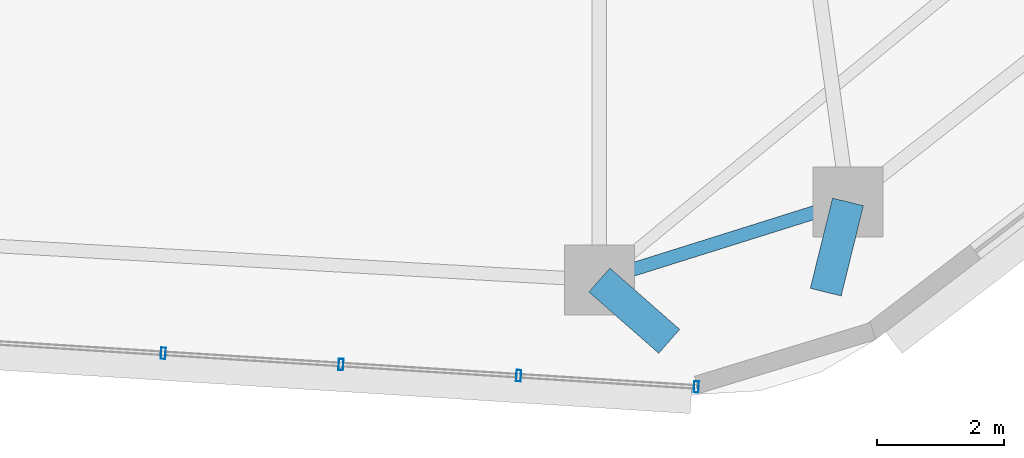
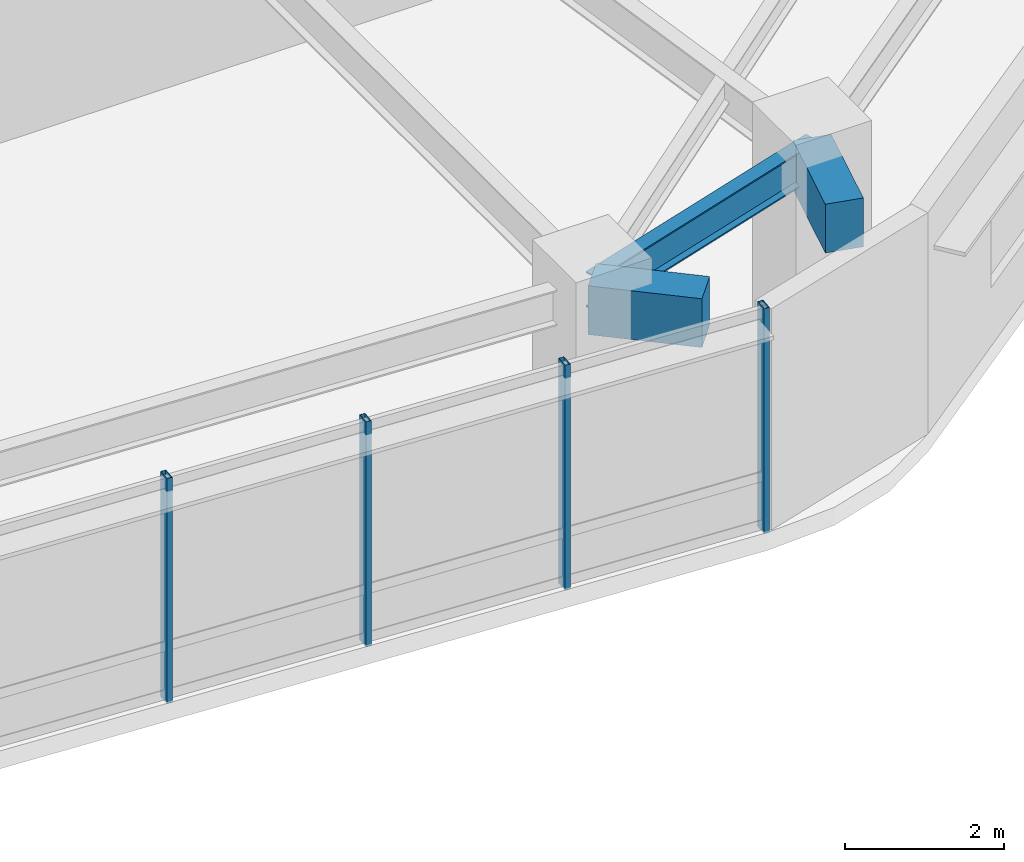
# One storey, part 4 of 12: 4 members, 3 beams, 1 element without a shape of its own.
"""IFC4 building model written with IfcOpenShell, lengths in metres."""

from ifc_helpers import new_model, si_unit, direction, frame, origin, origin_2d, place, context, subcontext, project, spatial, rectangle, hollow_rectangle, i_section, extrude, material, material_profile, profile_set, type_object, element, aggregate, save


model = new_model("IFC4")

# Units and contexts
model_context = context("Model", 3, precision=1e-05, world=origin(), true_north=direction((0.0, 1.0)))
body_context = subcontext(model_context, "Body", "Model", "MODEL_VIEW")
ifc_project = project(units=[si_unit("LENGTHUNIT", "METRE"), si_unit("AREAUNIT", "SQUARE_METRE"), si_unit("VOLUMEUNIT", "CUBIC_METRE"), si_unit("PLANEANGLEUNIT", "RADIAN"), si_unit("MASSUNIT", "GRAM", prefix="KILO")], contexts=[model_context])

# Site, building, storey
site_placement = place(None, origin())
site = spatial("IfcSite", under=ifc_project, at=site_placement, CompositionType="ELEMENT")
building_placement = place(site_placement, origin())
building = spatial("IfcBuilding", under=site, at=building_placement, Name="Zulverin Broadcast Headquarters", CompositionType="ELEMENT")
storey_placement = place(building_placement, frame((0.0, 0.0, 116.199951171875)))
storey = spatial("IfcBuildingStorey", under=building, at=storey_placement, Name="L29", CompositionType="ELEMENT", Elevation=116.199951171875)

# Beams
ifc_material_1 = material(Name="Concrete C40/50", Category="concrete")
ifc_material_profile_1 = material_profile(ifc_material_1, rectangle(XDim=0.5, YDim=0.75, at=origin_2d()), Name="Concrete C40/50", Category="concrete")
ifc_profile_set_1 = profile_set([ifc_material_profile_1], Name="Concrete C40/50")
beam_type_1 = type_object("IfcBeamType", Name="BM-RC-500x750", PredefinedType="BEAM", material=ifc_profile_set_1)
for number, where, z_axis, x_axis, name in (
    (1, (46.175048828125, 2.997802734375, 3.025146484375), (0.75150896058, -0.659722882859, 0.0), (0.659722882859, 0.75150896058, 0.0), "L30 Plate Overhang Back-Spanned Beam OVR-02"),
    (2, (50.08056640625, 4.22509765625, 3.025146484375), (-0.239072399227, -0.971001744554, 0.0), (0.971001744554, -0.239072399227, 0.0), "L30 Plate Overhang Back-Spanned Beam OVR-03"),
):
    element("IfcBeam", number, at=place(storey_placement, frame(where, z_axis=z_axis, x_axis=x_axis)), inside=storey, type_object=beam_type_1, Name=name, PredefinedType="BEAM", context=body_context, shape_type="SweptSolid", body=[
        extrude(rectangle(XDim=0.5, YDim=0.75, at=origin_2d()), origin(), (0.0, 0.0, 1.0), 1.460205078125),
    ])
ifc_material_2 = material(Name="Structural steel S355JR", Category="steel")
ifc_material_profile_2 = material_profile(ifc_material_2, i_section(OverallWidth=0.2119140625, OverallDepth=0.54443359375, WebThickness=0.0126953125, FlangeThickness=0.021240234375, at=origin_2d()), Name="Structural steel S355JR", Category="steel")
ifc_profile_set_2 = profile_set([ifc_material_profile_2], Name="Structural steel S355JR")
beam_type_2 = type_object("IfcBeamType", Name="BM-UB-533", PredefinedType="SPANDREL", material=ifc_profile_set_2)
beam_placement = place(storey_placement, frame((46.175048828125, 2.997802734375, 3.127685546875), z_axis=(0.954004438448, 0.299792480595, 0.0), x_axis=(-0.299792480595, 0.954004438448, 0.0)))
element("IfcBeam", 3, at=beam_placement, inside=storey, type_object=beam_type_2, Name="L29 Perimeter Spandrel Beam SP-02", PredefinedType="SPANDREL", context=body_context, shape_type="SweptSolid", body=[
    extrude(i_section(OverallWidth=0.2119140625, OverallDepth=0.54443359375, WebThickness=0.0126953125, FlangeThickness=0.021240234375, at=origin_2d()), origin(), (0.0, 0.0, 1.0), 4.09375),
])

# Curtain wall, members
ifc_material_3 = material(Name="Low-zone ribbon unitised curtain wall", Category="aluminium")
curtain_wall_type = type_object("IfcCurtainWallType", Name="CW-TWR-LOW", PredefinedType="USERDEFINED", material=ifc_material_3)
curtain_wall_placement = place(storey_placement, origin())
curtain_wall = element("IfcCurtainWall", 4, at=curtain_wall_placement, inside=storey, type_object=curtain_wall_type, Name="L29 Unitised Curtain Wall CW-L29-E1", ObjectType="UNITISED CURTAIN WALL", PredefinedType="USERDEFINED")
ifc_material_4 = material(Name="Anodized pale-metal aluminium alloy 6063-T6", Category="aluminium")
ifc_material_profile_3 = material_profile(ifc_material_4, hollow_rectangle(XDim=0.074951171875, YDim=0.179931640625, WallThickness=0.0048828125, at=origin_2d()), Name="Anodized pale-metal aluminium alloy 6063-T6", Category="aluminium")
ifc_profile_set_3 = profile_set([ifc_material_profile_3], Name="Anodized pale-metal aluminium alloy 6063-T6")
member_type = type_object("IfcMemberType", Name="CW-MUL-180", PredefinedType="MULLION", material=ifc_profile_set_3)
member_1_placement = place(storey_placement, frame((39.32470703125, 1.846923828125, -0.030029296875), z_axis=(0.0, 0.0, 1.0), x_axis=(0.998017182581, -0.062942062821, 0.0)))
member_1 = element("IfcMember", 5, at=member_1_placement, type_object=member_type, Name="CW-L29-E1 Mullion 04", PredefinedType="MULLION", context=body_context, shape_type="SweptSolid", body=[
    extrude(hollow_rectangle(XDim=0.074951171875, YDim=0.179931640625, WallThickness=0.0048828125, at=origin_2d()), origin(), (0.0, 0.0, 1.0), 3.4599609375),
])
member_2_placement = place(storey_placement, frame((42.11572265625, 1.6708984375, -0.030029296875), z_axis=(0.0, 0.0, 1.0), x_axis=(0.998017182581, -0.062942062821, 0.0)))
member_2 = element("IfcMember", 6, at=member_2_placement, type_object=member_type, Name="CW-L29-E1 Mullion 05", PredefinedType="MULLION", context=body_context, shape_type="SweptSolid", body=[
    extrude(hollow_rectangle(XDim=0.074951171875, YDim=0.179931640625, WallThickness=0.0048828125, at=origin_2d()), origin(), (0.0, 0.0, 1.0), 3.4599609375),
])
member_3_placement = place(storey_placement, frame((44.906982421875, 1.4951171875, -0.030029296875), z_axis=(0.0, 0.0, 1.0), x_axis=(0.998017182581, -0.062942062821, 0.0)))
member_3 = element("IfcMember", 7, at=member_3_placement, type_object=member_type, Name="CW-L29-E1 Mullion 06", PredefinedType="MULLION", context=body_context, shape_type="SweptSolid", body=[
    extrude(hollow_rectangle(XDim=0.074951171875, YDim=0.179931640625, WallThickness=0.0048828125, at=origin_2d()), origin(), (0.0, 0.0, 1.0), 3.4599609375),
])
member_4_placement = place(storey_placement, frame((47.6982421875, 1.319091796875, -0.030029296875), z_axis=(0.0, 0.0, 1.0), x_axis=(0.998017182581, -0.062942062821, 0.0)))
member_4 = element("IfcMember", 8, at=member_4_placement, type_object=member_type, Name="CW-L29-E1 Mullion 07", PredefinedType="MULLION", context=body_context, shape_type="SweptSolid", body=[
    extrude(hollow_rectangle(XDim=0.074951171875, YDim=0.179931640625, WallThickness=0.0048828125, at=origin_2d()), origin(), (0.0, 0.0, 1.0), 3.4599609375),
])
aggregate(curtain_wall, [member_1, member_2, member_3, member_4])

save(model, "model.ifc")
